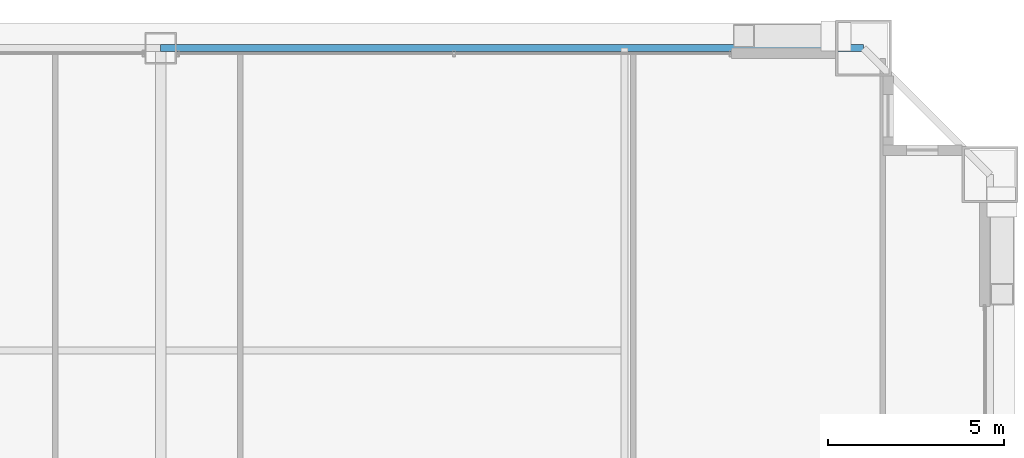
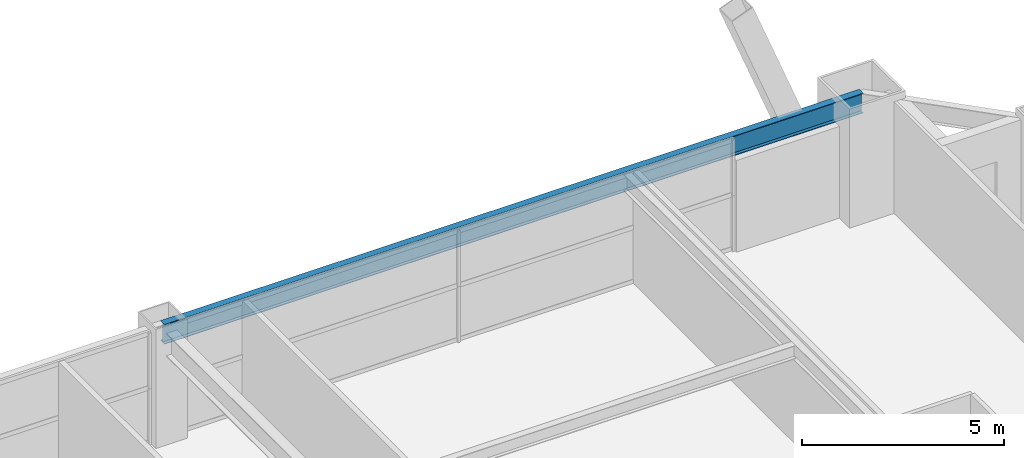
# One storey, part 36 of 43: 1 beam.
"""IFC4 building model written with IfcOpenShell, lengths in metres."""

from ifc_helpers import new_model, si_unit, direction, frame, origin, origin_2d, place, context, subcontext, project, spatial, i_section, extrude, source, transform, mapped, material, material_profile, profile_set, type_object, element, save


model = new_model("IFC4")

# Units and contexts
model_context = context("Model", 3, precision=1e-05, world=origin(), true_north=direction((0.0, 1.0)))
body_context = subcontext(model_context, "Body", "Model", "MODEL_VIEW")
ifc_project = project(units=[si_unit("LENGTHUNIT", "METRE"), si_unit("AREAUNIT", "SQUARE_METRE"), si_unit("VOLUMEUNIT", "CUBIC_METRE"), si_unit("PLANEANGLEUNIT", "RADIAN"), si_unit("MASSUNIT", "GRAM", prefix="KILO"), si_unit("THERMODYNAMICTEMPERATUREUNIT", "KELVIN"), si_unit("POWERUNIT", "WATT")], contexts=[model_context])

# Site, building, storey
site_placement = place(None, origin())
site = spatial("IfcSite", under=ifc_project, at=site_placement, CompositionType="ELEMENT")
building_placement = place(site_placement, origin())
building = spatial("IfcBuilding", under=site, at=building_placement, Name="Yuzanri Waterfront Tower", CompositionType="ELEMENT")
storey_placement = place(building_placement, frame((0.0, 0.0, 138.0)))
storey = spatial("IfcBuildingStorey", under=building, at=storey_placement, Name="L36", CompositionType="ELEMENT", Elevation=138.0)

# Beam
ifc_material = material(Name="Steel Q355B", Category="steel")
ifc_material_profile = material_profile(ifc_material, i_section(OverallWidth=0.199951171875, OverallDepth=0.60009765625, WebThickness=0.010986328125, FlangeThickness=0.01708984375, at=origin_2d()), Name="HN 600x200x11x17")
ifc_profile_set = profile_set([ifc_material_profile], Name="Steel Q355B")
beam_type = type_object("IfcBeamType", Name="Perimeter Spandrel Q355B HN 600x200", PredefinedType="SPANDREL", material=ifc_profile_set)
shared_shape = source(origin(), body_context, "Body", "SweptSolid", [
    extrude(i_section(OverallWidth=0.199951171875, OverallDepth=0.60009765625, WebThickness=0.010986328125, FlangeThickness=0.01708984375, at=origin_2d()), origin(), (0.0, 0.0, 1.0), 20.0),
])
beam_placement = place(storey_placement, frame((57.0, 49.39990234375, 3.080078125), z_axis=(-1.0, 0.0, 0.0), x_axis=(0.0, -1.0, 0.0)))
element("IfcBeam", 1, at=beam_placement, inside=storey, type_object=beam_type, Name="L36 Perimeter Spandrel N3-N2", PredefinedType="SPANDREL", context=body_context, shape_type="MappedRepresentation", body=[
    mapped(shared_shape, transform((0.0, 0.0, 0.0), scale=1.0)),
])

save(model, "model.ifc")
